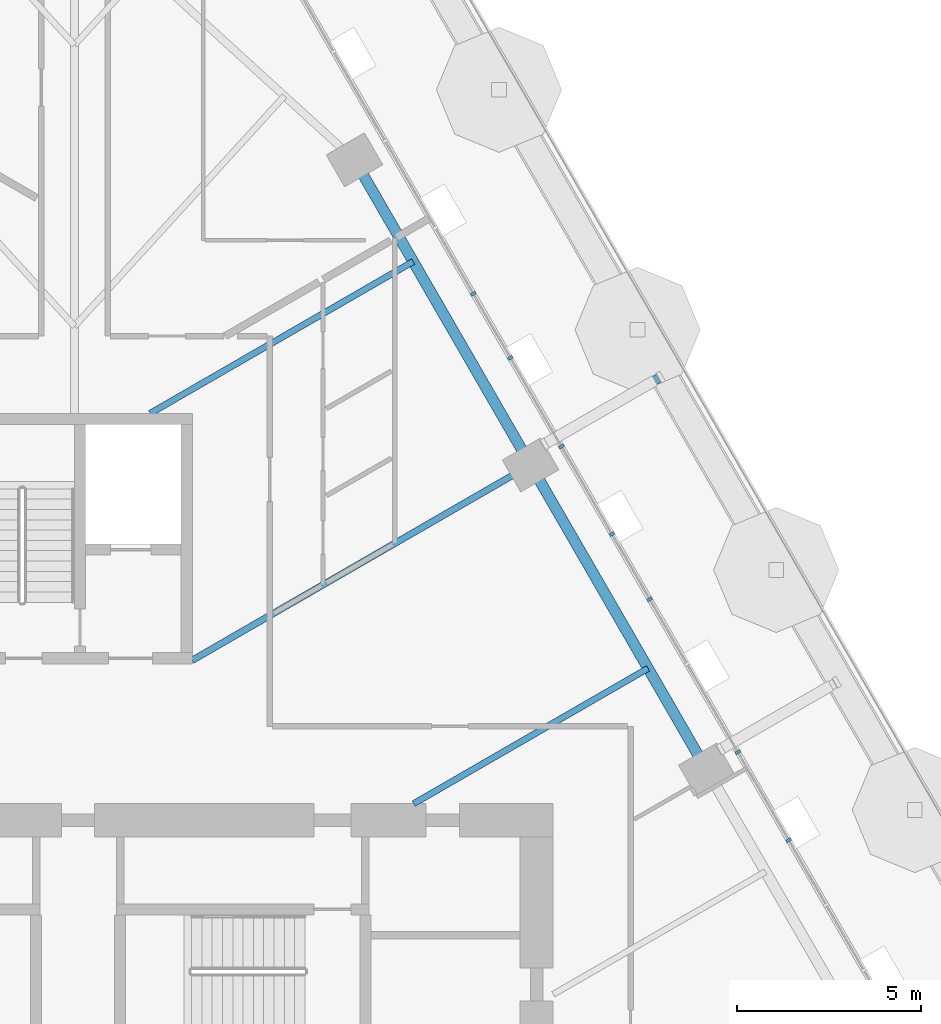
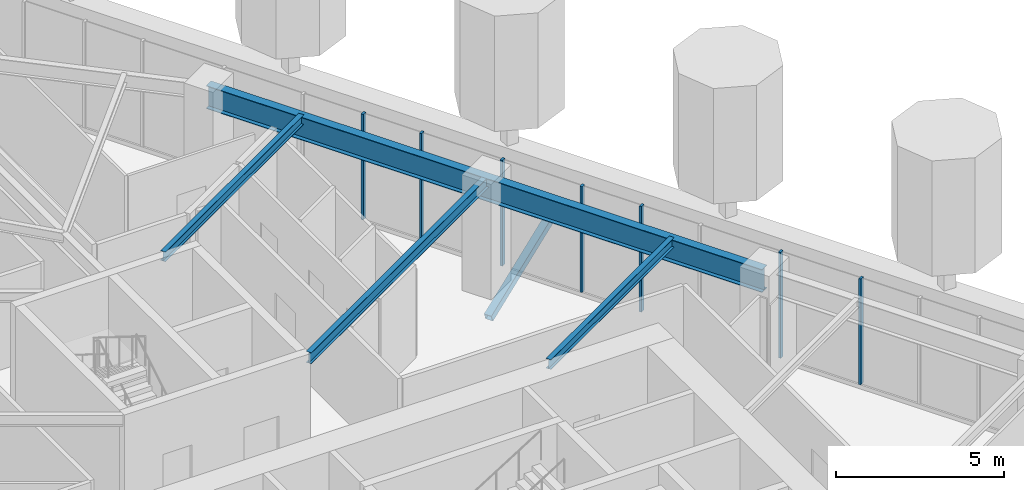
# One storey, part 10 of 26: 8 members, 4 beams, 1 element without a shape of its own.
"""IFC4 building model written with IfcOpenShell, lengths in metres."""

from ifc_helpers import new_model, si_unit, direction, frame, origin, origin_2d, place, context, subcontext, project, spatial, rectangle, hollow_rectangle, i_section, extrude, material, layer, layer_set, material_profile, profile_set, type_object, element, aggregate, save


model = new_model("IFC4")

# Units and contexts
model_context = context("Model", 3, precision=1e-05, world=origin(), true_north=direction((0.0, 1.0)))
body_context = subcontext(model_context, "Body", "Model", "MODEL_VIEW")
ifc_project = project(units=[si_unit("LENGTHUNIT", "METRE"), si_unit("AREAUNIT", "SQUARE_METRE"), si_unit("VOLUMEUNIT", "CUBIC_METRE"), si_unit("PLANEANGLEUNIT", "RADIAN"), si_unit("MASSUNIT", "GRAM", prefix="KILO")], contexts=[model_context])

# Site, building, storey
site_placement = place(None, origin())
site = spatial("IfcSite", under=ifc_project, at=site_placement, CompositionType="ELEMENT")
building_placement = place(site_placement, origin())
building = spatial("IfcBuilding", under=site, at=building_placement, Name="Firuza Gate Tower and Library", CompositionType="ELEMENT")
storey_placement = place(building_placement, frame((0.0, 0.0, 52.60009765625)))
storey = spatial("IfcBuildingStorey", under=building, at=storey_placement, Name="L11", CompositionType="ELEMENT", Elevation=52.60009765625)

# Curtain wall, members
ifc_material_1 = material(Name="Aluminium 6063-T6", Category="aluminium")
ifc_layer = layer(ifc_material_1, 0.14990234375)
ifc_layer_set = layer_set([ifc_layer], Name="Unitised curtain wall, offices")
curtain_wall_type = type_object("IfcCurtainWallType", Name="Unitised curtain wall, offices", PredefinedType="NOTDEFINED", material=ifc_layer_set)
curtain_wall_placement = place(storey_placement, origin())
curtain_wall = element("IfcCurtainWall", 1, at=curtain_wall_placement, inside=storey, type_object=curtain_wall_type, Name="CW1 L11 E face", PredefinedType="NOTDEFINED")
ifc_material_2 = material(Name="Aluminium 6063-T6", Category="aluminium")
ifc_material_profile_1 = material_profile(ifc_material_2, rectangle(XDim=0.14990234375, YDim=0.080078125, at=origin_2d()))
ifc_profile_set_1 = profile_set([ifc_material_profile_1], Name="Aluminium 6063-T6")
member_type_1 = type_object("IfcMemberType", Name="Curtain wall mullion 80x150", PredefinedType="MULLION", material=ifc_profile_set_1)
member_1_placement = place(storey_placement, frame((93.015869140625, 85.4013671875, 0.14990234375), z_axis=(0.0, 0.0, 1.0), x_axis=(-0.866025403784, -0.5, 0.0)))
member_1 = element("IfcMember", 2, at=member_1_placement, type_object=member_type_1, Name="Mullion", PredefinedType="MULLION", context=body_context, shape_type="SweptSolid", body=[
    extrude(rectangle(XDim=0.14990234375, YDim=0.080078125, at=origin_2d()), origin(), (0.0, 0.0, 1.0), 3.85009765625),
])
member_2_placement = place(storey_placement, frame((90.620361328125, 89.55029296875, 0.14990234375), z_axis=(0.0, 0.0, 1.0), x_axis=(-0.866025403784, -0.5, 0.0)))
member_2 = element("IfcMember", 3, at=member_2_placement, type_object=member_type_1, Name="Mullion", PredefinedType="MULLION", context=body_context, shape_type="SweptSolid", body=[
    extrude(rectangle(XDim=0.14990234375, YDim=0.080078125, at=origin_2d()), origin(), (0.0, 0.0, 1.0), 3.85009765625),
])
member_3_placement = place(storey_placement, frame((88.224853515625, 93.699462890625, 0.14990234375), z_axis=(0.0, 0.0, 1.0), x_axis=(-0.866025403784, -0.5, 0.0)))
member_3 = element("IfcMember", 4, at=member_3_placement, type_object=member_type_1, Name="Mullion", PredefinedType="MULLION", context=body_context, shape_type="SweptSolid", body=[
    extrude(rectangle(XDim=0.14990234375, YDim=0.080078125, at=origin_2d()), origin(), (0.0, 0.0, 1.0), 3.85009765625),
])
member_4_placement = place(storey_placement, frame((85.82958984375, 97.848388671875, 0.14990234375), z_axis=(0.0, 0.0, 1.0), x_axis=(-0.866025403784, -0.5, 0.0)))
member_4 = element("IfcMember", 5, at=member_4_placement, type_object=member_type_1, Name="Mullion", PredefinedType="MULLION", context=body_context, shape_type="SweptSolid", body=[
    extrude(rectangle(XDim=0.14990234375, YDim=0.080078125, at=origin_2d()), origin(), (0.0, 0.0, 1.0), 3.85009765625),
])
member_5_placement = place(storey_placement, frame((94.39697265625, 83.009033203125, 0.14990234375), z_axis=(0.0, 0.0, 1.0), x_axis=(-0.866025403784, -0.5, 0.0)))
member_5 = element("IfcMember", 6, at=member_5_placement, type_object=member_type_1, Name="Mullion", PredefinedType="MULLION", context=body_context, shape_type="SweptSolid", body=[
    extrude(rectangle(XDim=0.14990234375, YDim=0.080078125, at=origin_2d()), origin(), (0.0, 0.0, 1.0), 3.85009765625),
])
member_6_placement = place(storey_placement, frame((89.596923828125, 91.322998046875, 0.14990234375), z_axis=(0.0, 0.0, 1.0), x_axis=(-0.866025403784, -0.5, 0.0)))
member_6 = element("IfcMember", 7, at=member_6_placement, type_object=member_type_1, Name="Mullion", PredefinedType="MULLION", context=body_context, shape_type="SweptSolid", body=[
    extrude(rectangle(XDim=0.14990234375, YDim=0.080078125, at=origin_2d()), origin(), (0.0, 0.0, 1.0), 3.85009765625),
])
member_7_placement = place(storey_placement, frame((86.834716796875, 96.107666015625, 0.14990234375), z_axis=(0.0, 0.0, 1.0), x_axis=(-0.866025403784, -0.5, 0.0)))
member_7 = element("IfcMember", 8, at=member_7_placement, type_object=member_type_1, Name="Mullion", PredefinedType="MULLION", context=body_context, shape_type="SweptSolid", body=[
    extrude(rectangle(XDim=0.14990234375, YDim=0.080078125, at=origin_2d()), origin(), (0.0, 0.0, 1.0), 3.85009765625),
])
aggregate(curtain_wall, [member_1, member_2, member_3, member_4, member_5, member_6, member_7])

# Member
ifc_material_3 = material(Name="Steel S355", Category="steel")
ifc_material_profile_2 = material_profile(ifc_material_3, hollow_rectangle(XDim=0.25390625, YDim=0.25390625, WallThickness=0.01171875, at=origin_2d()))
ifc_profile_set_2 = profile_set([ifc_material_profile_2], Name="Steel S355")
member_type_2 = type_object("IfcMemberType", Name="HSS254x254x13 Tray strut", PredefinedType="BRACE", material=ifc_profile_set_2)
member_8_placement = place(storey_placement, frame((87.787841796875, 93.776611328125, -1.670166015625), z_axis=(0.807122458648, 0.466007352202, 0.362478253747), x_axis=(-0.500012057535, 0.866018442252, 0.0)))
element("IfcMember", 9, at=member_8_placement, inside=storey, type_object=member_type_2, Name="Tray strut L11 col:L10:E4", PredefinedType="BRACE", context=body_context, shape_type="SweptSolid", body=[
    extrude(hollow_rectangle(XDim=0.25390625, YDim=0.25390625, WallThickness=0.01171875, at=origin_2d()), origin(), (0.0, 0.0, 1.0), 3.86279296875),
])

# Beams
ifc_material_4 = material(Name="Steel S355", Category="steel")
ifc_material_profile_3 = material_profile(ifc_material_4, i_section(OverallWidth=0.1708984375, OverallDepth=0.35498046875, WebThickness=0.007080078125, FlangeThickness=0.01171875, at=origin_2d()))
ifc_profile_set_3 = profile_set([ifc_material_profile_3], Name="Steel S355")
beam_type_1 = type_object("IfcBeamType", Name="W360x51 Floor beam", PredefinedType="JOIST", material=ifc_profile_set_3)
beam_1_placement = place(storey_placement, frame((90.576904296875, 87.67578125, 3.822509765625), z_axis=(-0.866027421574, -0.49999650507, 0.0), x_axis=(0.49999650507, -0.866027421574, 0.0)))
element("IfcBeam", 10, at=beam_1_placement, inside=storey, type_object=beam_type_1, Name="Floor beam L11 s53", PredefinedType="JOIST", context=body_context, shape_type="SweptSolid", body=[
    extrude(i_section(OverallWidth=0.1708984375, OverallDepth=0.35498046875, WebThickness=0.007080078125, FlangeThickness=0.01171875, at=origin_2d()), origin(), (0.0, 0.0, 1.0), 7.3515625),
])
beam_2_placement = place(storey_placement, frame((84.19873046875, 98.72314453125, 3.822509765625), z_axis=(-0.866026336112, -0.499998385158, 0.0), x_axis=(0.499998385158, -0.866026336112, 0.0)))
element("IfcBeam", 11, at=beam_2_placement, inside=storey, type_object=beam_type_1, Name="Floor beam L11 s55", PredefinedType="JOIST", context=body_context, shape_type="SweptSolid", body=[
    extrude(i_section(OverallWidth=0.1708984375, OverallDepth=0.35498046875, WebThickness=0.007080078125, FlangeThickness=0.01171875, at=origin_2d()), origin(), (0.0, 0.0, 1.0), 8.24609375),
])
ifc_material_5 = material(Name="Steel S355", Category="steel")
ifc_material_profile_4 = material_profile(ifc_material_5, i_section(OverallWidth=0.177978515625, OverallDepth=0.406982421875, WebThickness=0.0078125, FlangeThickness=0.0126953125, at=origin_2d()))
ifc_profile_set_4 = profile_set([ifc_material_profile_4], Name="Steel S355")
beam_type_2 = type_object("IfcBeamType", Name="W410x60 Floor beam", PredefinedType="JOIST", material=ifc_profile_set_4)
beam_3_placement = place(storey_placement, frame((87.3876953125, 93.199462890625, 3.79638671875), z_axis=(-0.866019650973, -0.50000996403, 0.0), x_axis=(0.50000996403, -0.866019650973, 0.0)))
element("IfcBeam", 12, at=beam_3_placement, inside=storey, type_object=beam_type_2, Name="Floor beam L11 s54", PredefinedType="JOIST", context=body_context, shape_type="SweptSolid", body=[
    extrude(i_section(OverallWidth=0.177978515625, OverallDepth=0.406982421875, WebThickness=0.0078125, FlangeThickness=0.0126953125, at=origin_2d()), origin(), (0.0, 0.0, 1.0), 10.609130859375),
])
ifc_material_6 = material(Name="Steel S355", Category="steel")
ifc_material_profile_5 = material_profile(ifc_material_6, i_section(OverallWidth=0.2919921875, OverallDepth=0.8349609375, WebThickness=0.013916015625, FlangeThickness=0.018798828125, at=origin_2d()))
ifc_profile_set_5 = profile_set([ifc_material_profile_5], Name="Steel S355")
beam_type_3 = type_object("IfcBeamType", Name="W840x176 Edge beam", PredefinedType="SPANDREL", material=ifc_profile_set_5)
beam_4_placement = place(storey_placement, frame((92.17138671875, 84.913818359375, 3.58251953125), z_axis=(-0.499993784471, 0.866028992292, 0.0), x_axis=(-0.866028992292, -0.499993784471, 0.0)))
element("IfcBeam", 13, at=beam_4_placement, inside=storey, type_object=beam_type_3, Name="Edge beam L11 e52", PredefinedType="SPANDREL", context=body_context, shape_type="SweptSolid", body=[
    extrude(i_section(OverallWidth=0.2919921875, OverallDepth=0.8349609375, WebThickness=0.013916015625, FlangeThickness=0.018798828125, at=origin_2d()), origin(), (0.0, 0.0, 1.0), 19.134521484375),
])

save(model, "model.ifc")
